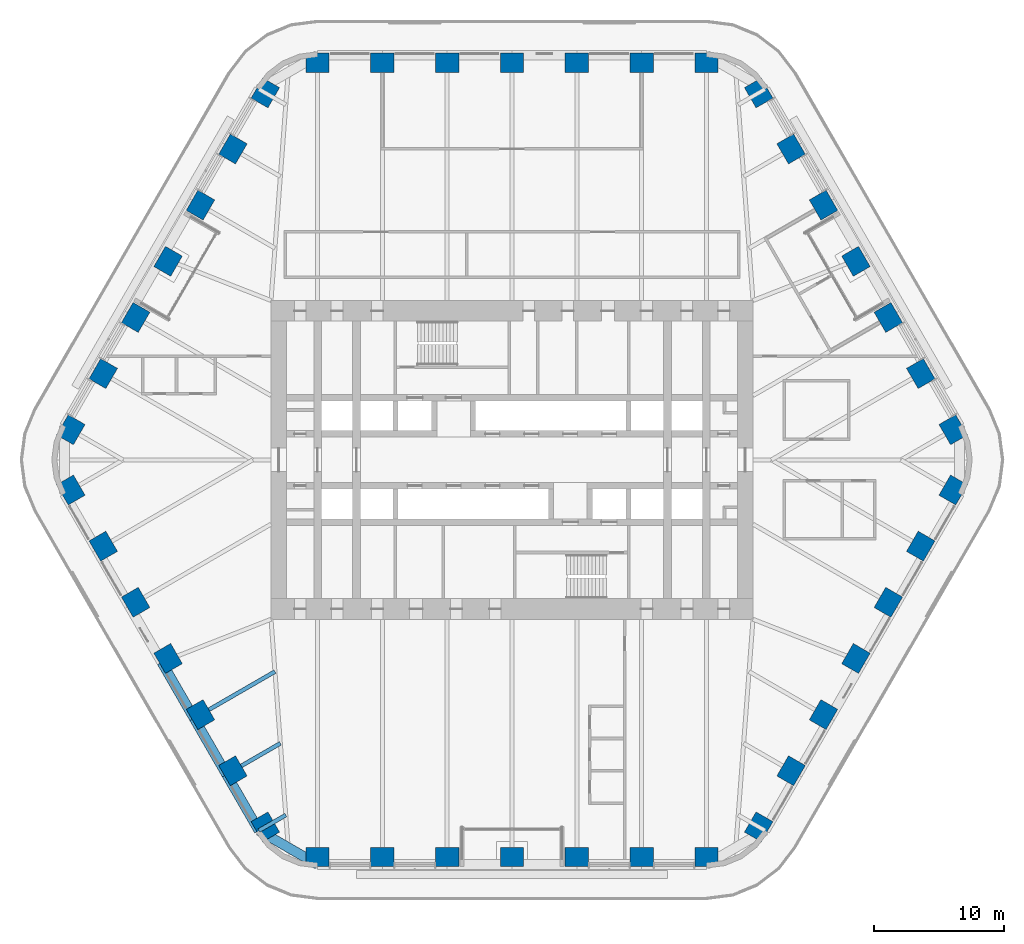
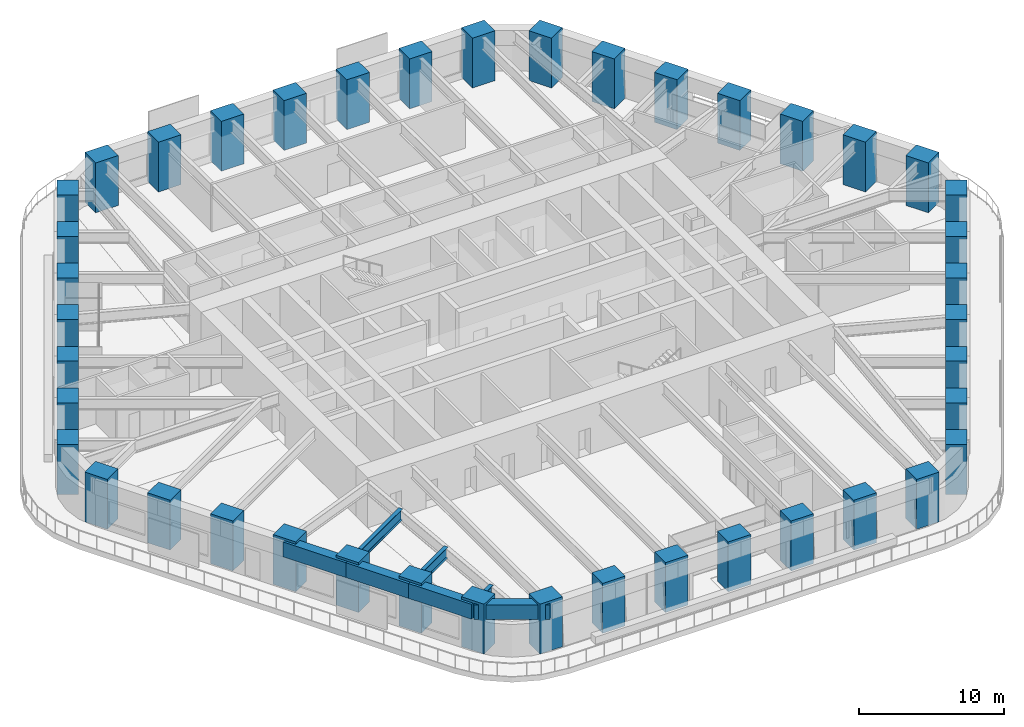
# One storey, part 1 of 24: 42 columns, 7 beams.
"""IFC4 building model written with IfcOpenShell, lengths in metres."""

from ifc_helpers import new_model, si_unit, direction, frame, origin, origin_2d, place, context, subcontext, project, spatial, rectangle, i_section, extrude, material, material_profile, profile_set, type_object, element, save


model = new_model("IFC4")

# Units and contexts
model_context = context("Model", 3, precision=1e-05, world=origin(), true_north=direction((0.0, 1.0)))
body_context = subcontext(model_context, "Body", "Model", "MODEL_VIEW")
ifc_project = project(units=[si_unit("LENGTHUNIT", "METRE"), si_unit("AREAUNIT", "SQUARE_METRE"), si_unit("VOLUMEUNIT", "CUBIC_METRE"), si_unit("PLANEANGLEUNIT", "RADIAN"), si_unit("MASSUNIT", "GRAM", prefix="KILO")], contexts=[model_context])

# Site, building, storey
site_placement = place(None, origin())
site = spatial("IfcSite", under=ifc_project, at=site_placement, CompositionType="ELEMENT")
building_placement = place(site_placement, origin())
building = spatial("IfcBuilding", under=site, at=building_placement, Name="Tarfa Lantern Tower", CompositionType="ELEMENT")
storey_placement = place(building_placement, frame((0.0, 0.0, 136.300048828125)))
storey = spatial("IfcBuildingStorey", under=building, at=storey_placement, Name="L30", CompositionType="ELEMENT", Elevation=136.300048828125)

# Columns
ifc_material_1 = material(Name="Concrete C80/95", Category="concrete")
ifc_material_profile_1 = material_profile(ifc_material_1, rectangle(XDim=1.800048828125, YDim=1.5, at=origin_2d()), Name="RC 1800x1500")
ifc_profile_set_1 = profile_set([ifc_material_profile_1], Name="Concrete C80/95")
column_type = type_object("IfcColumnType", Name="TC5 RC 1800x1500", PredefinedType="COLUMN", material=ifc_profile_set_1)
for number, where, z_axis, x_axis, name in (
    (1, (34.04931640625, 2.324951171875, 0.0), (0.0, 0.0, 1.0), (-0.5, 0.866025403784, 0.0), "Tube column NE0"),
    (2, (31.54736328125, 6.658447265625, 0.0), (0.0, 0.0, 1.0), (-0.5, 0.866025403784, 0.0), "Tube column NE1"),
    (3, (29.04541015625, 10.99169921875, 0.0), (0.0, 0.0, 1.0), (-0.5, 0.866025403784, 0.0), "Tube column NE2"),
    (4, (26.543701171875, 15.324951171875, 0.0), (0.0, 0.0, 1.0), (-0.5, 0.866025403784, 0.0), "Tube column NE3"),
    (5, (24.041748046875, 19.658447265625, 0.0), (0.0, 0.0, 1.0), (-0.5, 0.866025403784, 0.0), "Tube column NE4"),
    (6, (21.5400390625, 23.99169921875, 0.0), (0.0, 0.0, 1.0), (-0.5, 0.866025403784, 0.0), "Tube column NE5"),
    (7, (19.0380859375, 28.324951171875, 0.0), (0.0, 0.0, 1.0), (-0.5, 0.866025403784, 0.0), "Tube column NE6"),
    (8, (15.010986328125, 30.64990234375, 0.0), (0.0, 0.0, 1.0), (-1.0, 0.0, 0.0), "Tube column N0"),
    (9, (10.00732421875, 30.64990234375, 0.0), (0.0, 0.0, 1.0), (-1.0, 0.0, 0.0), "Tube column N1"),
    (10, (5.003662109375, 30.64990234375, 0.0), (0.0, 0.0, 1.0), (-1.0, 0.0, 0.0), "Tube column N2"),
    (11, (0.0, 30.64990234375, 0.0), (0.0, 0.0, 1.0), (-1.0, 0.0, 0.0), "Tube column N3"),
    (12, (-5.003662109375, 30.64990234375, 0.0), (0.0, 0.0, 1.0), (-1.0, 0.0, 0.0), "Tube column N4"),
    (13, (-10.00732421875, 30.64990234375, 0.0), (0.0, 0.0, 1.0), (-1.0, 0.0, 0.0), "Tube column N5"),
    (14, (-15.010986328125, 30.64990234375, 0.0), (0.0, 0.0, 1.0), (-1.0, 0.0, 0.0), "Tube column N6"),
    (15, (-19.0380859375, 28.324951171875, 0.0), (0.0, 0.0, 1.0), (-0.5, -0.866025403784, 0.0), "Tube column NW0"),
    (16, (-21.5400390625, 23.99169921875, 0.0), (0.0, 0.0, 1.0), (-0.5, -0.866025403784, 0.0), "Tube column NW1"),
    (17, (-24.041748046875, 19.658447265625, 0.0), (0.0, 0.0, 1.0), (-0.5, -0.866025403784, 0.0), "Tube column NW2"),
    (18, (-26.543701171875, 15.324951171875, 0.0), (0.0, 0.0, 1.0), (-0.5, -0.866025403784, 0.0), "Tube column NW3"),
    (19, (-29.04541015625, 10.99169921875, 0.0), (0.0, 0.0, 1.0), (-0.5, -0.866025403784, 0.0), "Tube column NW4"),
    (20, (-31.54736328125, 6.658447265625, 0.0), (0.0, 0.0, 1.0), (-0.5, -0.866025403784, 0.0), "Tube column NW5"),
    (21, (-34.04931640625, 2.324951171875, 0.0), (0.0, 0.0, 1.0), (-0.5, -0.866025403784, 0.0), "Tube column NW6"),
    (22, (-34.04931640625, -2.324951171875, 0.0), (0.0, 0.0, 1.0), (0.5, -0.866025403784, 0.0), "Tube column SW0"),
    (23, (-31.54736328125, -6.658447265625, 0.0), (0.0, 0.0, 1.0), (0.5, -0.866025403784, 0.0), "Tube column SW1"),
    (24, (-29.04541015625, -10.99169921875, 0.0), (0.0, 0.0, 1.0), (0.5, -0.866025403784, 0.0), "Tube column SW2"),
    (25, (-26.543701171875, -15.324951171875, 0.0), (0.0, 0.0, 1.0), (0.5, -0.866025403784, 0.0), "Tube column SW3"),
    (26, (-24.041748046875, -19.658447265625, 0.0), (0.0, 0.0, 1.0), (0.5, -0.866025403784, 0.0), "Tube column SW4"),
    (27, (-21.5400390625, -23.99169921875, 0.0), (0.0, 0.0, 1.0), (0.5, -0.866025403784, 0.0), "Tube column SW5"),
    (28, (-19.0380859375, -28.324951171875, 0.0), (0.0, 0.0, 1.0), (0.5, -0.866025403784, 0.0), "Tube column SW6"),
    (29, (-15.010986328125, -30.64990234375, 0.0), (0.0, 0.0, 1.0), (1.0, 0.0, 0.0), "Tube column S0"),
    (30, (-10.00732421875, -30.64990234375, 0.0), (0.0, 0.0, 1.0), (1.0, 0.0, 0.0), "Tube column S1"),
    (31, (-5.003662109375, -30.64990234375, 0.0), (0.0, 0.0, 1.0), (1.0, 0.0, 0.0), "Tube column S2"),
    (32, (0.0, -30.64990234375, 0.0), (0.0, 0.0, 1.0), (1.0, 0.0, 0.0), "Tube column S3"),
    (33, (5.003662109375, -30.64990234375, 0.0), (0.0, 0.0, 1.0), (1.0, 0.0, 0.0), "Tube column S4"),
    (34, (10.00732421875, -30.64990234375, 0.0), (0.0, 0.0, 1.0), (1.0, 0.0, 0.0), "Tube column S5"),
    (35, (15.010986328125, -30.64990234375, 0.0), (0.0, 0.0, 1.0), (1.0, 0.0, 0.0), "Tube column S6"),
    (36, (19.0380859375, -28.324951171875, 0.0), (0.0, 0.0, 1.0), (0.5, 0.866025403784, 0.0), "Tube column SE0"),
    (37, (21.5400390625, -23.99169921875, 0.0), (0.0, 0.0, 1.0), (0.5, 0.866025403784, 0.0), "Tube column SE1"),
    (38, (24.041748046875, -19.658447265625, 0.0), (0.0, 0.0, 1.0), (0.5, 0.866025403784, 0.0), "Tube column SE2"),
    (39, (26.543701171875, -15.324951171875, 0.0), (0.0, 0.0, 1.0), (0.5, 0.866025403784, 0.0), "Tube column SE3"),
    (40, (29.04541015625, -10.99169921875, 0.0), (0.0, 0.0, 1.0), (0.5, 0.866025403784, 0.0), "Tube column SE4"),
    (41, (31.54736328125, -6.658447265625, 0.0), (0.0, 0.0, 1.0), (0.5, 0.866025403784, 0.0), "Tube column SE5"),
    (42, (34.04931640625, -2.324951171875, 0.0), (0.0, 0.0, 1.0), (0.5, 0.866025403784, 0.0), "Tube column SE6"),
):
    element("IfcColumn", number, at=place(storey_placement, frame(where, z_axis=z_axis, x_axis=x_axis)), inside=storey, type_object=column_type, Name=name, PredefinedType="COLUMN", context=body_context, shape_type="SweptSolid", body=[
        extrude(rectangle(XDim=1.800048828125, YDim=1.5, at=origin_2d()), origin(), (0.0, 0.0, 1.0), 4.199951171875),
    ])

# Beams
ifc_material_profile_2 = material_profile(ifc_material_1, rectangle(XDim=0.75, YDim=1.25, at=origin_2d()), Name="RC 750x1250")
ifc_profile_set_2 = profile_set([ifc_material_profile_2], Name="Concrete C80/95")
beam_type_1 = type_object("IfcBeamType", Name="EB2 RC 750x1250", PredefinedType="SPANDREL", material=ifc_profile_set_2)
for number, where, z_axis, x_axis, name in (
    (43, (-27.037353515625, -15.610107421875, 3.375), (0.500022324899, -0.866012514114, 0.0), (0.866012514114, 0.500022324899, 0.0), "Edge beam SW3"),
    (44, (-24.535400390625, -19.943359375, 3.375), (0.49998573051, -0.866033642122, 0.0), (0.866033642122, 0.49998573051, 0.0), "Edge beam SW4"),
):
    element("IfcBeam", number, at=place(storey_placement, frame(where, z_axis=z_axis, x_axis=x_axis)), inside=storey, type_object=beam_type_1, Name=name, PredefinedType="SPANDREL", context=body_context, shape_type="SweptSolid", body=[
        extrude(rectangle(XDim=0.75, YDim=1.25, at=origin_2d()), origin(), (0.0, 0.0, 1.0), 5.003662109375),
    ])
beam_1_placement = place(storey_placement, frame((-22.03369140625, -24.276611328125, 3.375), z_axis=(0.500001197378, -0.866024712477, 0.0), x_axis=(0.866024712477, 0.500001197378, 0.0)))
element("IfcBeam", 45, at=beam_1_placement, inside=storey, type_object=beam_type_1, Name="Edge beam SW5", PredefinedType="SPANDREL", context=body_context, shape_type="SweptSolid", body=[
    extrude(rectangle(XDim=0.75, YDim=1.25, at=origin_2d()), origin(), (0.0, 0.0, 1.0), 5.00390625),
])
beam_2_placement = place(storey_placement, frame((-19.53173828125, -28.610107421875, 3.375), z_axis=(0.86604150238, -0.499972115377, 0.0), x_axis=(0.499972115377, 0.86604150238, 0.0)))
element("IfcBeam", 46, at=beam_2_placement, inside=storey, type_object=beam_type_1, Name="Edge beam SW6", PredefinedType="SPANDREL", context=body_context, shape_type="SweptSolid", body=[
    extrude(rectangle(XDim=0.75, YDim=1.25, at=origin_2d()), origin(), (0.0, 0.0, 1.0), 5.219970703125),
])
ifc_material_2 = material(Name="Steel S460M", Category="steel")
ifc_material_profile_3 = material_profile(ifc_material_2, i_section(OverallWidth=0.305419921875, OverallDepth=0.91845703125, WebThickness=0.017333984375, FlangeThickness=0.02783203125, FilletRadius=0.01904296875, at=origin_2d()), Name="UB914x305x253")
ifc_profile_set_3 = profile_set([ifc_material_profile_3], Name="Steel S460M")
beam_type_2 = type_object("IfcBeamType", Name="UB914x305x253", PredefinedType="BEAM", material=ifc_profile_set_3)
beam_3_placement = place(storey_placement, frame((-24.535400390625, -19.943359375, 3.540771484375), z_axis=(0.86602647304, 0.499998147991, 0.0), x_axis=(-0.499998147991, 0.86602647304, 0.0)))
element("IfcBeam", 47, at=beam_3_placement, inside=storey, type_object=beam_type_2, Name="Floor beam SW4", PredefinedType="BEAM", context=body_context, shape_type="SweptSolid", body=[
    extrude(i_section(OverallWidth=0.305419921875, OverallDepth=0.91845703125, WebThickness=0.017333984375, FlangeThickness=0.02783203125, FilletRadius=0.01904296875, at=origin_2d()), origin(), (0.0, 0.0, 1.0), 7.20556640625),
])
beam_4_placement = place(storey_placement, frame((-22.03369140625, -24.276611328125, 3.540771484375), z_axis=(0.866030550462, 0.499991085587, 0.0), x_axis=(-0.499991085587, 0.866030550462, 0.0)))
element("IfcBeam", 48, at=beam_4_placement, inside=storey, type_object=beam_type_2, Name="Floor beam SW5", PredefinedType="BEAM", context=body_context, shape_type="SweptSolid", body=[
    extrude(i_section(OverallWidth=0.305419921875, OverallDepth=0.91845703125, WebThickness=0.017333984375, FlangeThickness=0.02783203125, FilletRadius=0.01904296875, at=origin_2d()), origin(), (0.0, 0.0, 1.0), 4.798828125),
])
beam_5_placement = place(storey_placement, frame((-19.53173828125, -28.610107421875, 3.540771484375), z_axis=(0.865998640954, 0.500046351717, 0.0), x_axis=(-0.500046351717, 0.865998640954, 0.0)))
element("IfcBeam", 49, at=beam_5_placement, inside=storey, type_object=beam_type_2, Name="Floor beam SW6", PredefinedType="BEAM", context=body_context, shape_type="SweptSolid", body=[
    extrude(i_section(OverallWidth=0.305419921875, OverallDepth=0.91845703125, WebThickness=0.017333984375, FlangeThickness=0.02783203125, FilletRadius=0.01904296875, at=origin_2d()), origin(), (0.0, 0.0, 1.0), 2.392333984375),
])

save(model, "model.ifc")
